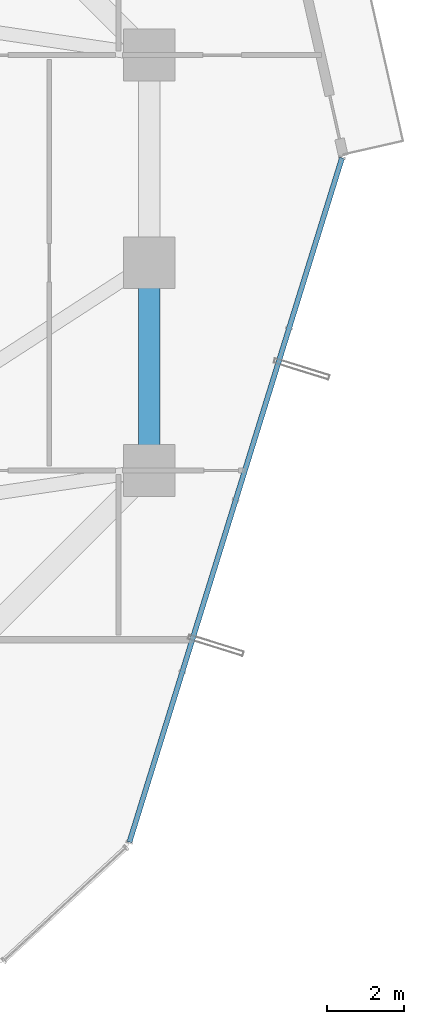
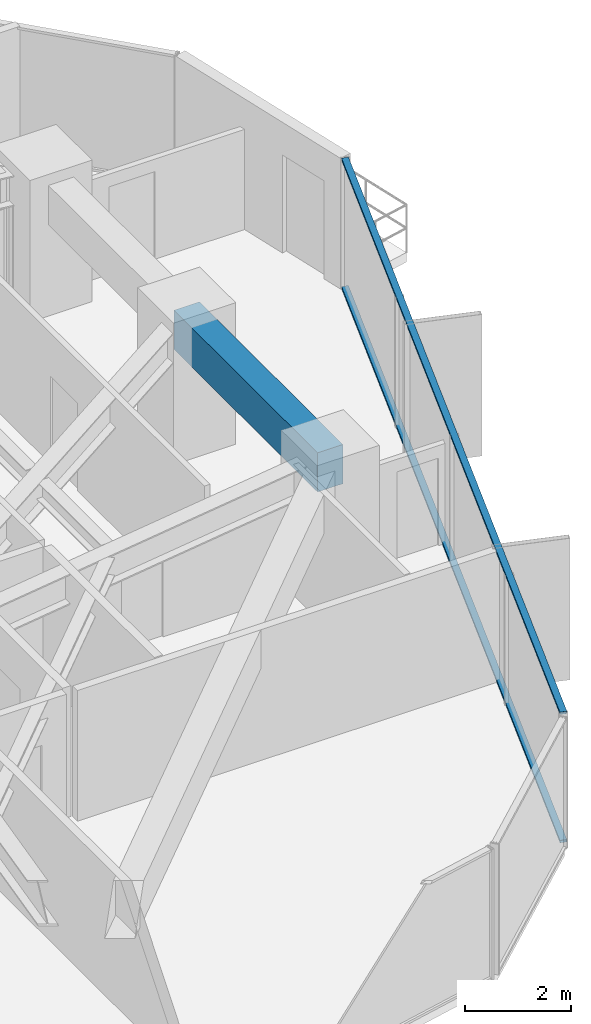
# One storey, part 18 of 39: 2 members, 1 beam, 1 element without a shape of its own.
"""IFC4 building model written with IfcOpenShell, lengths in metres."""

from ifc_helpers import new_model, si_unit, direction, frame, origin, origin_2d, place, context, subcontext, project, spatial, rectangle, hollow_rectangle, extrude, source, transform, mapped, material, layer, layer_set, material_profile, profile_set, type_object, element, aggregate, save


model = new_model("IFC4")

# Units and contexts
model_context = context("Model", 3, precision=1e-05, world=origin(), true_north=direction((0.0, 1.0)))
body_context = subcontext(model_context, "Body", "Model", "MODEL_VIEW")
ifc_project = project(units=[si_unit("LENGTHUNIT", "METRE"), si_unit("AREAUNIT", "SQUARE_METRE"), si_unit("VOLUMEUNIT", "CUBIC_METRE"), si_unit("PLANEANGLEUNIT", "RADIAN"), si_unit("MASSUNIT", "GRAM", prefix="KILO")], contexts=[model_context])

# Site, building, storey
site_placement = place(None, origin())
site = spatial("IfcSite", under=ifc_project, at=site_placement, CompositionType="ELEMENT")
building_placement = place(site_placement, origin())
building = spatial("IfcBuilding", under=site, at=building_placement, Name="Veraguas Prism Commons", CompositionType="ELEMENT")
storey_placement = place(building_placement, frame((0.0, 0.0, 67.35009765625)))
storey = spatial("IfcBuildingStorey", under=building, at=storey_placement, Name="L18", CompositionType="ELEMENT", Elevation=67.35009765625)

# Beam
ifc_material_1 = material(Name="Concrete C50/60", Category="concrete")
ifc_material_profile_1 = material_profile(ifc_material_1, rectangle(XDim=0.550048828125, YDim=0.89990234375, at=origin_2d()), Name="RC550X900")
ifc_profile_set_1 = profile_set([ifc_material_profile_1], Name="Concrete C50/60")
beam_type = type_object("IfcBeamType", Name="Perimeter Spandrel Lower RC 550x900", PredefinedType="SPANDREL", material=ifc_profile_set_1)
beam_placement = place(storey_placement, frame((41.60009765625, 18.60009765625, 2.5498046875), z_axis=(0.0, 1.0, 0.0), x_axis=(-1.0, 0.0, 0.0)))
element("IfcBeam", 1, at=beam_placement, inside=storey, type_object=beam_type, Name="Perimeter Spandrel Beam L18-SP01", PredefinedType="SPANDREL", context=body_context, shape_type="SweptSolid", body=[
    extrude(rectangle(XDim=0.550048828125, YDim=0.89990234375, at=origin_2d()), origin(), (0.0, 0.0, 1.0), 5.39990234375),
])

# Curtain wall, members
ifc_material_2 = material(Name="Anodised aluminium EN AW-6063 T6", Category="aluminium")
ifc_layer = layer(ifc_material_2, 0.169921875, Name="Unitised Flush Curtain Wall Zone 1", Category="aluminium")
ifc_layer_set = layer_set([ifc_layer], Name="Anodised aluminium EN AW-6063 T6")
curtain_wall_type = type_object("IfcCurtainWallType", Name="Unitised Flush Curtain Wall Zone 1", PredefinedType="NOTDEFINED", material=ifc_layer_set)
curtain_wall_placement = place(storey_placement, origin())
curtain_wall = element("IfcCurtainWall", 2, at=curtain_wall_placement, inside=storey, type_object=curtain_wall_type, Name="Tower Facade Curtain Wall L18-F6", PredefinedType="NOTDEFINED")
ifc_material_profile_2 = material_profile(ifc_material_2, hollow_rectangle(XDim=0.054931640625, YDim=0.135009765625, WallThickness=0.0029296875, at=origin_2d()), Name="AL55X135X3")
ifc_profile_set_2 = profile_set([ifc_material_profile_2], Name="Anodised aluminium EN AW-6063 T6")
member_type = type_object("IfcMemberType", Name="Curtain Wall Transom Standard AL 55x135x3", PredefinedType="USERDEFINED", material=ifc_profile_set_2)
shared_shape = source(origin(), body_context, "Body", "SweptSolid", [
    extrude(hollow_rectangle(XDim=0.054931640625, YDim=0.135009765625, WallThickness=0.0029296875, at=origin_2d()), origin(), (0.0, 0.0, 1.0), 18.623779296875),
])
member_1_placement = place(storey_placement, frame((41.085693359375, 8.9404296875, 0.02734375), z_axis=(0.296710091084, 0.954967602513, 0.0), x_axis=(0.0, 0.0, 1.0)))
member_1 = element("IfcMember", 3, at=member_1_placement, type_object=member_type, Name="CW-Z1 Transom 1", ObjectType="TRANSOM", PredefinedType="USERDEFINED", context=body_context, shape_type="MappedRepresentation", body=[
    mapped(shared_shape, transform((0.0, 0.0, 0.0), scale=1.0)),
])
member_2_placement = place(storey_placement, frame((41.085693359375, 8.9404296875, 2.972412109375), z_axis=(0.296710091084, 0.954967602513, 0.0), x_axis=(0.0, 0.0, 1.0)))
member_2 = element("IfcMember", 4, at=member_2_placement, type_object=member_type, Name="CW-Z1 Transom 2", ObjectType="TRANSOM", PredefinedType="USERDEFINED", context=body_context, shape_type="MappedRepresentation", body=[
    mapped(shared_shape, transform((0.0, 0.0, 0.0), scale=1.0)),
])
aggregate(curtain_wall, [member_1, member_2])

save(model, "model.ifc")
